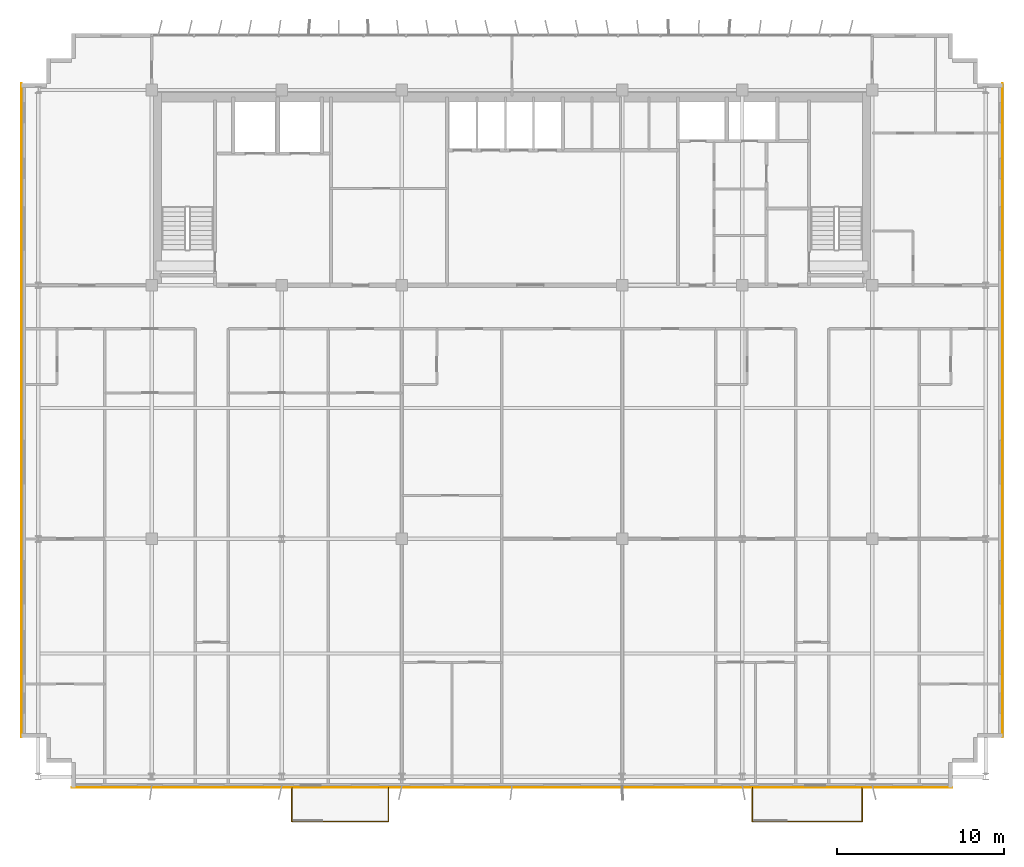
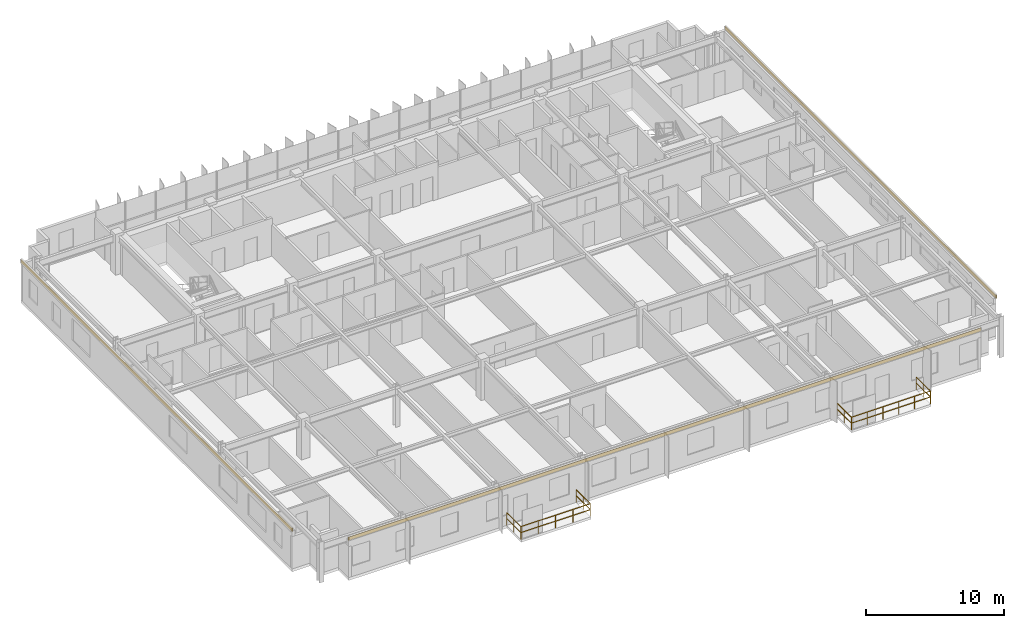
# One storey, part 20 of 21: 6 railings, 3 coverings.
"""IFC4 building model written with IfcOpenShell, lengths in metres."""

from ifc_helpers import new_model, si_unit, direction, frame, origin, origin_2d, place, context, subcontext, project, spatial, rectangle, extrude, source, transform, mapped, material, layer, layer_set, type_object, element, save


model = new_model("IFC4")

# Units and contexts
model_context = context("Model", 3, precision=1e-05, world=origin(), true_north=direction((0.0, 1.0)))
body_context = subcontext(model_context, "Body", "Model", "MODEL_VIEW")
ifc_project = project(units=[si_unit("LENGTHUNIT", "METRE"), si_unit("AREAUNIT", "SQUARE_METRE"), si_unit("VOLUMEUNIT", "CUBIC_METRE"), si_unit("PLANEANGLEUNIT", "RADIAN"), si_unit("MASSUNIT", "GRAM", prefix="KILO")], contexts=[model_context])

# Site, building, storey
site_placement = place(None, origin())
site = spatial("IfcSite", under=ifc_project, at=site_placement, CompositionType="ELEMENT")
building_placement = place(site_placement, origin())
building = spatial("IfcBuilding", under=site, at=building_placement, Name="Trelvane Seafront Commons", CompositionType="ELEMENT")
storey_placement = place(building_placement, frame((0.0, 0.0, 153.699951171875)))
storey = spatial("IfcBuildingStorey", under=building, at=storey_placement, Name="L40", CompositionType="ELEMENT", Elevation=153.699951171875)

# Railings
ifc_material_1 = material(Name="Stainless steel balustrade", Category="steel")
railing_type = type_object("IfcRailingType", Name="ARCH-RAIL-BAL1150", PredefinedType="BALUSTRADE", material=ifc_material_1)
railing_1_placement = place(storey_placement, frame((24.0, 3.300048828125, 0.0)))
element("IfcRailing", 1, at=railing_1_placement, inside=storey, type_object=railing_type, Name="RL-L40-BAL0-01", PredefinedType="BALUSTRADE", context=body_context, shape_type="SweptSolid", body=[
    extrude(rectangle(XDim=0.048095703125, YDim=0.048095703125, at=origin_2d()), frame((0.0, 0.0, 1.1259765625), z_axis=(0.0, -1.0, 0.0), x_axis=(1.0, 0.0, 0.0)), (0.0, 0.0, 1.0), 2.0400390625),
    extrude(rectangle(XDim=0.048095703125, YDim=0.048095703125, at=origin_2d()), frame((0.0, 0.0, 0.597900390625), z_axis=(0.0, -1.0, 0.0), x_axis=(1.0, 0.0, 0.0)), (0.0, 0.0, 1.0), 2.0400390625),
    extrude(rectangle(XDim=0.0419921875, YDim=0.0419921875, at=origin_2d()), origin(), (0.0, 0.0, 1.0), 1.1259765625),
    extrude(rectangle(XDim=0.0419921875, YDim=0.0419921875, at=origin_2d()), frame((0.0, -1.02001953125, 0.0)), (0.0, 0.0, 1.0), 1.1259765625),
    extrude(rectangle(XDim=0.0419921875, YDim=0.0419921875, at=origin_2d()), frame((0.0, -2.0400390625, 0.0)), (0.0, 0.0, 1.0), 1.1259765625),
])
railing_2_placement = place(storey_placement, frame((24.0, 1.260009765625, 0.0)))
element("IfcRailing", 2, at=railing_2_placement, inside=storey, type_object=railing_type, Name="RL-L40-BAL0-02", PredefinedType="BALUSTRADE", context=body_context, shape_type="SweptSolid", body=[
    extrude(rectangle(XDim=0.048095703125, YDim=0.048095703125, at=origin_2d()), frame((0.0, 0.0, 1.1259765625), z_axis=(1.0, 0.0, 0.0), x_axis=(0.0, 1.0, 0.0)), (0.0, 0.0, 1.0), 5.800048828125),
    extrude(rectangle(XDim=0.048095703125, YDim=0.048095703125, at=origin_2d()), frame((0.0, 0.0, 0.597900390625), z_axis=(1.0, 0.0, 0.0), x_axis=(0.0, 1.0, 0.0)), (0.0, 0.0, 1.0), 5.800048828125),
    extrude(rectangle(XDim=0.0419921875, YDim=0.0419921875, at=origin_2d()), origin(), (0.0, 0.0, 1.0), 1.1259765625),
    extrude(rectangle(XDim=0.0419921875, YDim=0.0419921875, at=origin_2d()), frame((1.449951171875, 0.0, 0.0)), (0.0, 0.0, 1.0), 1.1259765625),
    extrude(rectangle(XDim=0.0419921875, YDim=0.0419921875, at=origin_2d()), frame((2.89990234375, 0.0, 0.0)), (0.0, 0.0, 1.0), 1.1259765625),
    extrude(rectangle(XDim=0.0419921875, YDim=0.0419921875, at=origin_2d()), frame((4.35009765625, 0.0, 0.0)), (0.0, 0.0, 1.0), 1.1259765625),
    extrude(rectangle(XDim=0.0419921875, YDim=0.0419921875, at=origin_2d()), frame((5.800048828125, 0.0, 0.0)), (0.0, 0.0, 1.0), 1.1259765625),
])
railing_3_placement = place(storey_placement, frame((29.800048828125, 1.260009765625, 0.0)))
element("IfcRailing", 3, at=railing_3_placement, inside=storey, type_object=railing_type, Name="RL-L40-BAL0-03", PredefinedType="BALUSTRADE", context=body_context, shape_type="SweptSolid", body=[
    extrude(rectangle(XDim=0.048095703125, YDim=0.048095703125, at=origin_2d()), frame((0.0, 0.0, 1.1259765625), z_axis=(0.0, 1.0, 0.0), x_axis=(-1.0, 0.0, 0.0)), (0.0, 0.0, 1.0), 2.0400390625),
    extrude(rectangle(XDim=0.048095703125, YDim=0.048095703125, at=origin_2d()), frame((0.0, 0.0, 0.597900390625), z_axis=(0.0, 1.0, 0.0), x_axis=(-1.0, 0.0, 0.0)), (0.0, 0.0, 1.0), 2.0400390625),
    extrude(rectangle(XDim=0.0419921875, YDim=0.0419921875, at=origin_2d()), origin(), (0.0, 0.0, 1.0), 1.1259765625),
    extrude(rectangle(XDim=0.0419921875, YDim=0.0419921875, at=origin_2d()), frame((0.0, 1.02001953125, 0.0)), (0.0, 0.0, 1.0), 1.1259765625),
    extrude(rectangle(XDim=0.0419921875, YDim=0.0419921875, at=origin_2d()), frame((0.0, 2.0400390625, 0.0)), (0.0, 0.0, 1.0), 1.1259765625),
])
railing_4_placement = place(storey_placement, frame((51.60009765625, 3.300048828125, 0.0)))
element("IfcRailing", 4, at=railing_4_placement, inside=storey, type_object=railing_type, Name="RL-L40-BAL1-01", PredefinedType="BALUSTRADE", context=body_context, shape_type="SweptSolid", body=[
    extrude(rectangle(XDim=0.048095703125, YDim=0.048095703125, at=origin_2d()), frame((0.0, 0.0, 1.1259765625), z_axis=(0.0, -1.0, 0.0), x_axis=(1.0, 0.0, 0.0)), (0.0, 0.0, 1.0), 2.0400390625),
    extrude(rectangle(XDim=0.048095703125, YDim=0.048095703125, at=origin_2d()), frame((0.0, 0.0, 0.597900390625), z_axis=(0.0, -1.0, 0.0), x_axis=(1.0, 0.0, 0.0)), (0.0, 0.0, 1.0), 2.0400390625),
    extrude(rectangle(XDim=0.0419921875, YDim=0.0419921875, at=origin_2d()), origin(), (0.0, 0.0, 1.0), 1.1259765625),
    extrude(rectangle(XDim=0.0419921875, YDim=0.0419921875, at=origin_2d()), frame((0.0, -1.02001953125, 0.0)), (0.0, 0.0, 1.0), 1.1259765625),
    extrude(rectangle(XDim=0.0419921875, YDim=0.0419921875, at=origin_2d()), frame((0.0, -2.0400390625, 0.0)), (0.0, 0.0, 1.0), 1.1259765625),
])
railing_5_placement = place(storey_placement, frame((51.60009765625, 1.260009765625, 0.0)))
element("IfcRailing", 5, at=railing_5_placement, inside=storey, type_object=railing_type, Name="RL-L40-BAL1-02", PredefinedType="BALUSTRADE", context=body_context, shape_type="SweptSolid", body=[
    extrude(rectangle(XDim=0.048095703125, YDim=0.048095703125, at=origin_2d()), frame((0.0, 0.0, 1.1259765625), z_axis=(1.0, 0.0, 0.0), x_axis=(0.0, 1.0, 0.0)), (0.0, 0.0, 1.0), 6.599853515625),
    extrude(rectangle(XDim=0.048095703125, YDim=0.048095703125, at=origin_2d()), frame((0.0, 0.0, 0.597900390625), z_axis=(1.0, 0.0, 0.0), x_axis=(0.0, 1.0, 0.0)), (0.0, 0.0, 1.0), 6.599853515625),
    extrude(rectangle(XDim=0.0419921875, YDim=0.0419921875, at=origin_2d()), origin(), (0.0, 0.0, 1.0), 1.1259765625),
    extrude(rectangle(XDim=0.0419921875, YDim=0.0419921875, at=origin_2d()), frame((1.320068359375, 0.0, 0.0)), (0.0, 0.0, 1.0), 1.1259765625),
    extrude(rectangle(XDim=0.0419921875, YDim=0.0419921875, at=origin_2d()), frame((2.639892578125, 0.0, 0.0)), (0.0, 0.0, 1.0), 1.1259765625),
    extrude(rectangle(XDim=0.0419921875, YDim=0.0419921875, at=origin_2d()), frame((3.9599609375, 0.0, 0.0)), (0.0, 0.0, 1.0), 1.1259765625),
    extrude(rectangle(XDim=0.0419921875, YDim=0.0419921875, at=origin_2d()), frame((5.27978515625, 0.0, 0.0)), (0.0, 0.0, 1.0), 1.1259765625),
    extrude(rectangle(XDim=0.0419921875, YDim=0.0419921875, at=origin_2d()), frame((6.599853515625, 0.0, 0.0)), (0.0, 0.0, 1.0), 1.1259765625),
])
railing_6_placement = place(storey_placement, frame((58.199951171875, 1.260009765625, 0.0)))
element("IfcRailing", 6, at=railing_6_placement, inside=storey, type_object=railing_type, Name="RL-L40-BAL1-03", PredefinedType="BALUSTRADE", context=body_context, shape_type="SweptSolid", body=[
    extrude(rectangle(XDim=0.048095703125, YDim=0.048095703125, at=origin_2d()), frame((0.0, 0.0, 1.1259765625), z_axis=(0.0, 1.0, 0.0), x_axis=(-1.0, 0.0, 0.0)), (0.0, 0.0, 1.0), 2.0400390625),
    extrude(rectangle(XDim=0.048095703125, YDim=0.048095703125, at=origin_2d()), frame((0.0, 0.0, 0.597900390625), z_axis=(0.0, 1.0, 0.0), x_axis=(-1.0, 0.0, 0.0)), (0.0, 0.0, 1.0), 2.0400390625),
    extrude(rectangle(XDim=0.0419921875, YDim=0.0419921875, at=origin_2d()), origin(), (0.0, 0.0, 1.0), 1.1259765625),
    extrude(rectangle(XDim=0.0419921875, YDim=0.0419921875, at=origin_2d()), frame((0.0, 1.02001953125, 0.0)), (0.0, 0.0, 1.0), 1.1259765625),
    extrude(rectangle(XDim=0.0419921875, YDim=0.0419921875, at=origin_2d()), frame((0.0, 2.0400390625, 0.0)), (0.0, 0.0, 1.0), 1.1259765625),
])

# Coverings
ifc_material_2 = material(Name="Anodised pale-silver aluminium", Category="aluminium")
ifc_layer = layer(ifc_material_2, 0.034912109375, Name="ARCH-COV-CLAD35")
ifc_layer_set = layer_set([ifc_layer], Name="Anodised pale-silver aluminium")
covering_type = type_object("IfcCoveringType", Name="ARCH-COV-CLAD35", PredefinedType="CLADDING", material=ifc_layer_set)
shared_shape_1 = source(origin(), body_context, "Body", "SweptSolid", [
    extrude(rectangle(XDim=39.199951171875, YDim=0.034912109375, at=origin_2d()), origin(), (0.0, 0.0, 1.0), 0.2900390625),
])
for number, where, z_axis, x_axis, name in (
    (7, (7.800048828125, 25.89990234375, 3.31005859375), (0.0, 0.0, 1.0), (0.0, 1.0, 0.0), "CLD-L40-00161"),
    (8, (66.60009765625, 25.89990234375, 3.31005859375), (0.0, 0.0, 1.0), (0.0, -1.0, 0.0), "CLD-L40-00162"),
):
    element("IfcCovering", number, at=place(storey_placement, frame(where, z_axis=z_axis, x_axis=x_axis)), inside=storey, type_object=covering_type, Name=name, PredefinedType="CLADDING", context=body_context, shape_type="MappedRepresentation", body=[
        mapped(shared_shape_1, transform((0.0, 0.0, 0.0), x_axis=(1.0, 0.0, 0.0), y_axis=(0.0, 1.0, 0.0), z_axis=(0.0, 0.0, 1.0), scale=1.0)),
    ])
shared_shape_2 = source(origin(), body_context, "Body", "SweptSolid", [
    extrude(rectangle(XDim=52.800048828125, YDim=0.034912109375, at=origin_2d()), origin(), (0.0, 0.0, 1.0), 0.2900390625),
])
covering_placement = place(storey_placement, frame((37.199951171875, 3.300048828125, 3.31005859375), z_axis=(0.0, 0.0, 1.0), x_axis=(-1.0, 0.0, 0.0)))
element("IfcCovering", 9, at=covering_placement, inside=storey, type_object=covering_type, Name="CLD-L40-00163", PredefinedType="CLADDING", context=body_context, shape_type="MappedRepresentation", body=[
    mapped(shared_shape_2, transform((0.0, 0.0, 0.0), x_axis=(1.0, 0.0, 0.0), y_axis=(0.0, 1.0, 0.0), z_axis=(0.0, 0.0, 1.0), scale=1.0)),
])

save(model, "model.ifc")
